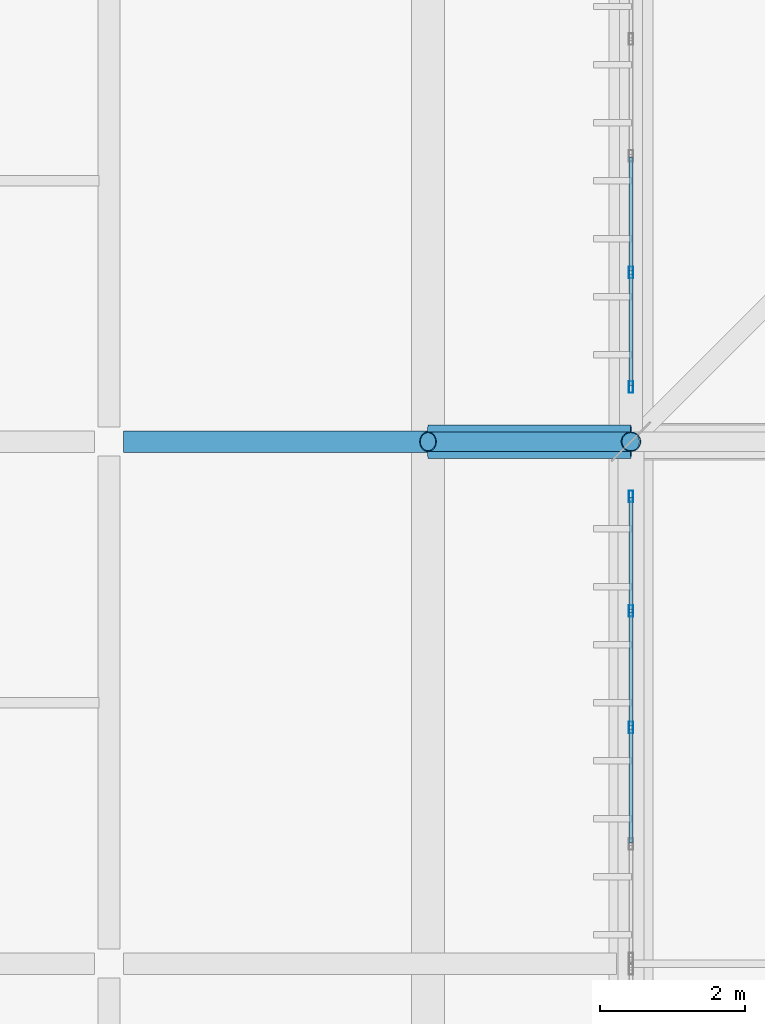
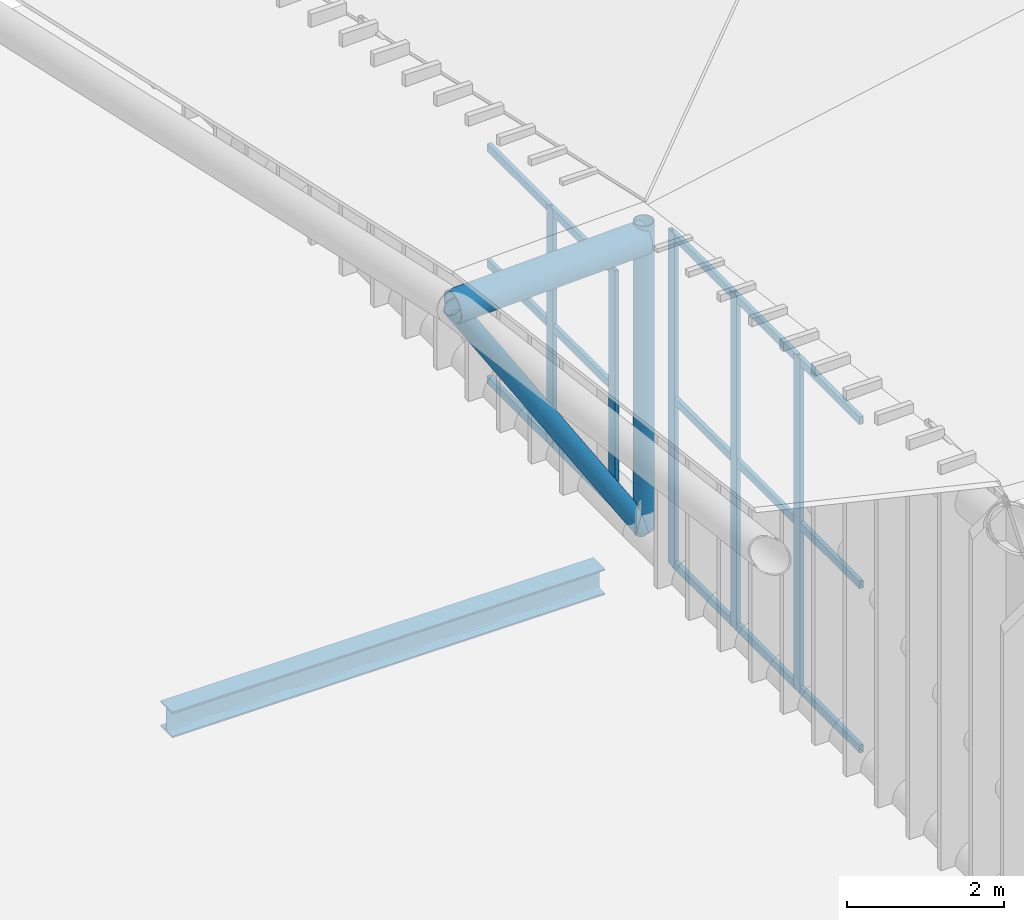
# One storey, part 209 of 397: 22 members, 2 beams, 2 elements without a shape of their own.
"""IFC4 building model written with IfcOpenShell, lengths in metres."""

from ifc_helpers import new_model, si_unit, direction, frame, origin, origin_2d, place, context, subcontext, project, spatial, hollow_rectangle, hollow_circle, i_section, extrude, material, material_profile, profile_set, type_object, element, aggregate, save


model = new_model("IFC4")

# Units and contexts
model_context = context("Model", 3, precision=1e-05, world=origin(), true_north=direction((0.0, 1.0)))
body_context = subcontext(model_context, "Body", "Model", "MODEL_VIEW")
ifc_project = project(units=[si_unit("LENGTHUNIT", "METRE"), si_unit("AREAUNIT", "SQUARE_METRE"), si_unit("VOLUMEUNIT", "CUBIC_METRE"), si_unit("PLANEANGLEUNIT", "RADIAN"), si_unit("MASSUNIT", "GRAM", prefix="KILO")], contexts=[model_context])

# Site, building, storey
site_placement = place(None, origin())
site = spatial("IfcSite", under=ifc_project, at=site_placement, CompositionType="ELEMENT")
building_placement = place(site_placement, origin())
building = spatial("IfcBuilding", under=site, at=building_placement, Name="Qandorah Velis Arena", CompositionType="ELEMENT")
storey_placement = place(building_placement, frame((0.0, 0.0, 27.5)))
storey = spatial("IfcBuildingStorey", under=building, at=storey_placement, Name="RF", CompositionType="ELEMENT", Elevation=27.5)

# Curtain wall, members
ifc_material_1 = material(Name="Solar-control low-E double glazing", Category="glass")
curtain_wall_type = type_object("IfcCurtainWallType", Name="ARC-CW-SYS07", PredefinedType="USERDEFINED", material=ifc_material_1)
curtain_wall_1_placement = place(storey_placement, origin())
curtain_wall_1 = element("IfcCurtainWall", 1, at=curtain_wall_1_placement, inside=storey, type_object=curtain_wall_type, Name="Unitised curtain wall CROWN-1-06S2", ObjectType="UNITISED CURTAIN WALL", PredefinedType="USERDEFINED")
ifc_material_2 = material(Name="Champagne-bronze anodized aluminium 6063-T6", Category="aluminium")
ifc_material_profile_1 = material_profile(ifc_material_2, hollow_rectangle(XDim=0.06005859375, YDim=0.159912109375, WallThickness=0.00341796875, at=origin_2d()), Name="ALU MULLION 60x160")
ifc_profile_set_1 = profile_set([ifc_material_profile_1], Name="Champagne-bronze anodized aluminium 6063-T6")
member_type_1 = type_object("IfcMemberType", Name="ARC-CWM-160", PredefinedType="MULLION", material=ifc_profile_set_1)
member_1_placement = place(storey_placement, frame((14.39990234375, 96.857421875, -0.014892578125), z_axis=(0.0, 0.0, 1.0), x_axis=(-1.0, 0.0, 0.0)))
member_1 = element("IfcMember", 2, at=member_1_placement, type_object=member_type_1, Name="CW07 mullion 3", PredefinedType="MULLION", context=body_context, shape_type="SweptSolid", body=[
    extrude(hollow_rectangle(XDim=0.06005859375, YDim=0.159912109375, WallThickness=0.00341796875, at=origin_2d()), origin(), (0.0, 0.0, 1.0), 5.180908203125),
])
member_2_placement = place(storey_placement, frame((14.39990234375, 98.46630859375, -0.014892578125), z_axis=(0.0, 0.0, 1.0), x_axis=(-1.0, 0.0, 0.0)))
member_2 = element("IfcMember", 3, at=member_2_placement, type_object=member_type_1, Name="CW07 mullion 4", PredefinedType="MULLION", context=body_context, shape_type="SweptSolid", body=[
    extrude(hollow_rectangle(XDim=0.06005859375, YDim=0.159912109375, WallThickness=0.00341796875, at=origin_2d()), origin(), (0.0, 0.0, 1.0), 5.180908203125),
])
member_3_placement = place(storey_placement, frame((14.39990234375, 100.044921875, -0.014892578125), z_axis=(0.0, 0.0, 1.0), x_axis=(-1.0, 0.0, 0.0)))
member_3 = element("IfcMember", 4, at=member_3_placement, type_object=member_type_1, Name="CW07 mullion 5", PredefinedType="MULLION", context=body_context, shape_type="SweptSolid", body=[
    extrude(hollow_rectangle(XDim=0.06005859375, YDim=0.159912109375, WallThickness=0.00341796875, at=origin_2d()), origin(), (0.0, 0.0, 1.0), 5.180908203125),
])

curtain_wall_2_placement = place(storey_placement, origin())
curtain_wall_2 = element("IfcCurtainWall", 5, at=curtain_wall_2_placement, inside=storey, type_object=curtain_wall_type, Name="Unitised curtain wall CROWN-1-07S1", ObjectType="UNITISED CURTAIN WALL", PredefinedType="USERDEFINED")
member_4_placement = place(storey_placement, frame((14.39990234375, 101.554931640625, -0.014892578125), z_axis=(0.0, 0.0, 1.0), x_axis=(-1.0, 0.0, 0.0)))
member_4 = element("IfcMember", 6, at=member_4_placement, type_object=member_type_1, Name="CW07 mullion 1", PredefinedType="MULLION", context=body_context, shape_type="SweptSolid", body=[
    extrude(hollow_rectangle(XDim=0.06005859375, YDim=0.159912109375, WallThickness=0.00341796875, at=origin_2d()), origin(), (0.0, 0.0, 1.0), 3.6904296875),
])
member_5_placement = place(storey_placement, frame((14.39990234375, 103.1337890625, -0.014892578125), z_axis=(0.0, 0.0, 1.0), x_axis=(-1.0, 0.0, 0.0)))
member_5 = element("IfcMember", 7, at=member_5_placement, type_object=member_type_1, Name="CW07 mullion 2", PredefinedType="MULLION", context=body_context, shape_type="SweptSolid", body=[
    extrude(hollow_rectangle(XDim=0.06005859375, YDim=0.159912109375, WallThickness=0.00341796875, at=origin_2d()), origin(), (0.0, 0.0, 1.0), 3.6904296875),
])

# Member
ifc_material_profile_2 = material_profile(ifc_material_2, hollow_rectangle(XDim=0.06005859375, YDim=0.1201171875, WallThickness=0.0029296875, at=origin_2d()), Name="ALU TRANSOM 60x120")
ifc_profile_set_2 = profile_set([ifc_material_profile_2], Name="Champagne-bronze anodized aluminium 6063-T6")
member_type_2 = type_object("IfcMemberType", Name="ARC-CWT-120", PredefinedType="USERDEFINED", material=ifc_profile_set_2)
member_6_placement = place(storey_placement, frame((14.39990234375, 95.266845703125, 0.030029296875), z_axis=(0.0, 1.0, 0.0), x_axis=(-1.0, 0.0, 0.0)))
member_6 = element("IfcMember", 8, at=member_6_placement, type_object=member_type_2, Name="CW07 transom 2.1", ObjectType="TRANSOM", PredefinedType="USERDEFINED", context=body_context, shape_type="SweptSolid", body=[
    extrude(hollow_rectangle(XDim=0.06005859375, YDim=0.1201171875, WallThickness=0.0029296875, at=origin_2d()), origin(), (0.0, 0.0, 1.0), 1.57275390625),
])

member_7_placement = place(storey_placement, frame((14.39990234375, 95.266845703125, 2.575439453125), z_axis=(0.0, 1.0, 0.0), x_axis=(-1.0, 0.0, 0.0)))
member_7 = element("IfcMember", 9, at=member_7_placement, type_object=member_type_2, Name="CW07 transom 2.2", ObjectType="TRANSOM", PredefinedType="USERDEFINED", context=body_context, shape_type="SweptSolid", body=[
    extrude(hollow_rectangle(XDim=0.06005859375, YDim=0.1201171875, WallThickness=0.0029296875, at=origin_2d()), origin(), (0.0, 0.0, 1.0), 1.57275390625),
])

member_8_placement = place(storey_placement, frame((14.39990234375, 95.266845703125, 5.12109375), z_axis=(0.0, 1.0, 0.0), x_axis=(-1.0, 0.0, 0.0)))
member_8 = element("IfcMember", 10, at=member_8_placement, type_object=member_type_2, Name="CW07 transom 2.3", ObjectType="TRANSOM", PredefinedType="USERDEFINED", context=body_context, shape_type="SweptSolid", body=[
    extrude(hollow_rectangle(XDim=0.06005859375, YDim=0.1201171875, WallThickness=0.0029296875, at=origin_2d()), origin(), (0.0, 0.0, 1.0), 1.57275390625),
])

member_9_placement = place(storey_placement, frame((14.39990234375, 96.87548828125, 0.030029296875), z_axis=(0.0, 1.0, 0.0), x_axis=(-1.0, 0.0, 0.0)))
member_9 = element("IfcMember", 11, at=member_9_placement, type_object=member_type_2, Name="CW07 transom 3.1", ObjectType="TRANSOM", PredefinedType="USERDEFINED", context=body_context, shape_type="SweptSolid", body=[
    extrude(hollow_rectangle(XDim=0.06005859375, YDim=0.1201171875, WallThickness=0.0029296875, at=origin_2d()), origin(), (0.0, 0.0, 1.0), 1.57275390625),
])

member_10_placement = place(storey_placement, frame((14.39990234375, 96.87548828125, 2.575439453125), z_axis=(0.0, 1.0, 0.0), x_axis=(-1.0, 0.0, 0.0)))
member_10 = element("IfcMember", 12, at=member_10_placement, type_object=member_type_2, Name="CW07 transom 3.2", ObjectType="TRANSOM", PredefinedType="USERDEFINED", context=body_context, shape_type="SweptSolid", body=[
    extrude(hollow_rectangle(XDim=0.06005859375, YDim=0.1201171875, WallThickness=0.0029296875, at=origin_2d()), origin(), (0.0, 0.0, 1.0), 1.57275390625),
])

member_11_placement = place(storey_placement, frame((14.39990234375, 96.87548828125, 5.12109375), z_axis=(0.0, 1.0, 0.0), x_axis=(-1.0, 0.0, 0.0)))
member_11 = element("IfcMember", 13, at=member_11_placement, type_object=member_type_2, Name="CW07 transom 3.3", ObjectType="TRANSOM", PredefinedType="USERDEFINED", context=body_context, shape_type="SweptSolid", body=[
    extrude(hollow_rectangle(XDim=0.06005859375, YDim=0.1201171875, WallThickness=0.0029296875, at=origin_2d()), origin(), (0.0, 0.0, 1.0), 1.57275390625),
])

member_12_placement = place(storey_placement, frame((14.39990234375, 98.484375, 0.030029296875), z_axis=(0.0, 1.0, 0.0), x_axis=(-1.0, 0.0, 0.0)))
member_12 = element("IfcMember", 14, at=member_12_placement, type_object=member_type_2, Name="CW07 transom 4.1", ObjectType="TRANSOM", PredefinedType="USERDEFINED", context=body_context, shape_type="SweptSolid", body=[
    extrude(hollow_rectangle(XDim=0.06005859375, YDim=0.1201171875, WallThickness=0.0029296875, at=origin_2d()), origin(), (0.0, 0.0, 1.0), 1.542724609375),
])

member_13_placement = place(storey_placement, frame((14.39990234375, 98.484375, 2.575439453125), z_axis=(0.0, 1.0, 0.0), x_axis=(-1.0, 0.0, 0.0)))
member_13 = element("IfcMember", 15, at=member_13_placement, type_object=member_type_2, Name="CW07 transom 4.2", ObjectType="TRANSOM", PredefinedType="USERDEFINED", context=body_context, shape_type="SweptSolid", body=[
    extrude(hollow_rectangle(XDim=0.06005859375, YDim=0.1201171875, WallThickness=0.0029296875, at=origin_2d()), origin(), (0.0, 0.0, 1.0), 1.542724609375),
])

member_14_placement = place(storey_placement, frame((14.39990234375, 98.484375, 5.12109375), z_axis=(0.0, 1.0, 0.0), x_axis=(-1.0, 0.0, 0.0)))
member_14 = element("IfcMember", 16, at=member_14_placement, type_object=member_type_2, Name="CW07 transom 4.3", ObjectType="TRANSOM", PredefinedType="USERDEFINED", context=body_context, shape_type="SweptSolid", body=[
    extrude(hollow_rectangle(XDim=0.06005859375, YDim=0.1201171875, WallThickness=0.0029296875, at=origin_2d()), origin(), (0.0, 0.0, 1.0), 1.542724609375),
])

aggregate(curtain_wall_1, [member_1, member_2, member_3, member_6, member_7, member_8, member_9, member_10, member_11, member_12, member_13, member_14])

member_15_placement = place(storey_placement, frame((14.39990234375, 101.572998046875, 0.030029296875), z_axis=(0.0, 1.0, 0.0), x_axis=(-1.0, 0.0, 0.0)))
member_15 = element("IfcMember", 17, at=member_15_placement, type_object=member_type_2, Name="CW07 transom 1.1", ObjectType="TRANSOM", PredefinedType="USERDEFINED", context=body_context, shape_type="SweptSolid", body=[
    extrude(hollow_rectangle(XDim=0.06005859375, YDim=0.1201171875, WallThickness=0.0029296875, at=origin_2d()), origin(), (0.0, 0.0, 1.0), 1.542724609375),
])

member_16_placement = place(storey_placement, frame((14.39990234375, 101.572998046875, 1.830078125), z_axis=(0.0, 1.0, 0.0), x_axis=(-1.0, 0.0, 0.0)))
member_16 = element("IfcMember", 18, at=member_16_placement, type_object=member_type_2, Name="CW07 transom 1.2", ObjectType="TRANSOM", PredefinedType="USERDEFINED", context=body_context, shape_type="SweptSolid", body=[
    extrude(hollow_rectangle(XDim=0.06005859375, YDim=0.1201171875, WallThickness=0.0029296875, at=origin_2d()), origin(), (0.0, 0.0, 1.0), 1.542724609375),
])

member_17_placement = place(storey_placement, frame((14.39990234375, 101.572998046875, 3.630615234375), z_axis=(0.0, 1.0, 0.0), x_axis=(-1.0, 0.0, 0.0)))
member_17 = element("IfcMember", 19, at=member_17_placement, type_object=member_type_2, Name="CW07 transom 1.3", ObjectType="TRANSOM", PredefinedType="USERDEFINED", context=body_context, shape_type="SweptSolid", body=[
    extrude(hollow_rectangle(XDim=0.06005859375, YDim=0.1201171875, WallThickness=0.0029296875, at=origin_2d()), origin(), (0.0, 0.0, 1.0), 1.542724609375),
])

member_18_placement = place(storey_placement, frame((14.39990234375, 103.15185546875, 0.030029296875), z_axis=(0.0, 1.0, 0.0), x_axis=(-1.0, 0.0, 0.0)))
member_18 = element("IfcMember", 20, at=member_18_placement, type_object=member_type_2, Name="CW07 transom 2.1", ObjectType="TRANSOM", PredefinedType="USERDEFINED", context=body_context, shape_type="SweptSolid", body=[
    extrude(hollow_rectangle(XDim=0.06005859375, YDim=0.1201171875, WallThickness=0.0029296875, at=origin_2d()), origin(), (0.0, 0.0, 1.0), 1.57275390625),
])

member_19_placement = place(storey_placement, frame((14.39990234375, 103.15185546875, 1.830078125), z_axis=(0.0, 1.0, 0.0), x_axis=(-1.0, 0.0, 0.0)))
member_19 = element("IfcMember", 21, at=member_19_placement, type_object=member_type_2, Name="CW07 transom 2.2", ObjectType="TRANSOM", PredefinedType="USERDEFINED", context=body_context, shape_type="SweptSolid", body=[
    extrude(hollow_rectangle(XDim=0.06005859375, YDim=0.1201171875, WallThickness=0.0029296875, at=origin_2d()), origin(), (0.0, 0.0, 1.0), 1.57275390625),
])

member_20_placement = place(storey_placement, frame((14.39990234375, 103.15185546875, 3.630615234375), z_axis=(0.0, 1.0, 0.0), x_axis=(-1.0, 0.0, 0.0)))
member_20 = element("IfcMember", 22, at=member_20_placement, type_object=member_type_2, Name="CW07 transom 2.3", ObjectType="TRANSOM", PredefinedType="USERDEFINED", context=body_context, shape_type="SweptSolid", body=[
    extrude(hollow_rectangle(XDim=0.06005859375, YDim=0.1201171875, WallThickness=0.0029296875, at=origin_2d()), origin(), (0.0, 0.0, 1.0), 1.57275390625),
])

aggregate(curtain_wall_2, [member_4, member_5, member_15, member_16, member_17, member_18, member_19, member_20])

# Beams
ifc_material_3 = material(Name="Steel S355", Category="steel")
ifc_material_profile_3 = material_profile(ifc_material_3, i_section(OverallWidth=0.300048828125, OverallDepth=0.39990234375, WebThickness=0.013427734375, FlangeThickness=0.02392578125, FilletRadius=0.027099609375, at=origin_2d()), Name="HEB 400")
ifc_profile_set_3 = profile_set([ifc_material_profile_3], Name="Steel S355")
beam_type_1 = type_object("IfcBeamType", Name="STR-BM-HEB400", PredefinedType="BEAM", material=ifc_profile_set_3)
beam_1_placement = place(storey_placement, frame((7.39990234375, 100.800048828125, -0.419921875), z_axis=(1.0, 0.0, 0.0), x_axis=(0.0, 1.0, 0.0)))
element("IfcBeam", 23, at=beam_1_placement, inside=storey, type_object=beam_type_1, Name="Primary floor girder RF X-042", PredefinedType="BEAM", context=body_context, shape_type="SweptSolid", body=[
    extrude(i_section(OverallWidth=0.300048828125, OverallDepth=0.39990234375, WebThickness=0.013427734375, FlangeThickness=0.02392578125, FilletRadius=0.027099609375, at=origin_2d()), origin(), (0.0, 0.0, 1.0), 6.35009765625),
])
ifc_material_profile_4 = material_profile(ifc_material_3, hollow_circle(Radius=0.228515625, WallThickness=0.01611328125, at=origin_2d()), Name="CHS 457x16")
ifc_profile_set_4 = profile_set([ifc_material_profile_4], Name="Steel S355")
beam_type_2 = type_object("IfcBeamType", Name="STR-SFC-CHS457X16", PredefinedType="USERDEFINED", material=ifc_profile_set_4)
beam_2_placement = place(storey_placement, frame((14.39990234375, 100.800048828125, 4.6083984375), z_axis=(-0.999361521522, 0.0, -0.035728830121), x_axis=(0.0, -1.0, 0.0)))
element("IfcBeam", 24, at=beam_2_placement, inside=storey, type_object=beam_type_2, Name="Space frame eave outrigger W-6", ObjectType="ROOF TRUSS", PredefinedType="USERDEFINED", context=body_context, shape_type="SweptSolid", body=[
    extrude(hollow_circle(Radius=0.228515625, WallThickness=0.01611328125, at=origin_2d()), origin(), (0.0, 0.0, 1.0), 2.801513671875),
])

# Members
ifc_material_profile_5 = material_profile(ifc_material_3, hollow_circle(Radius=0.136474609375, WallThickness=0.012451171875, at=origin_2d()), Name="CHS 273x12.5")
ifc_profile_set_5 = profile_set([ifc_material_profile_5], Name="Steel S355")
member_type_3 = type_object("IfcMemberType", Name="STR-SFD-CHS273X12", PredefinedType="STRUT", material=ifc_profile_set_5)
member_21_placement = place(storey_placement, frame((14.39990234375, 100.800048828125, 0.10009765625), z_axis=(0.0, 0.0, 1.0), x_axis=(1.0, 0.0, 0.0)))
element("IfcMember", 25, at=member_21_placement, inside=storey, type_object=member_type_3, Name="Space frame roof vertical post 0.6", PredefinedType="STRUT", context=body_context, shape_type="SweptSolid", body=[
    extrude(hollow_circle(Radius=0.136474609375, WallThickness=0.012451171875, at=origin_2d()), origin(), (0.0, 0.0, 1.0), 4.768310546875),
])
member_22_placement = place(storey_placement, frame((14.39990234375, 100.800048828125, 0.10009765625), z_axis=(-0.536137175467, 0.0, 0.844130872011), x_axis=(0.0, -1.0, 0.0)))
element("IfcMember", 26, at=member_22_placement, inside=storey, type_object=member_type_3, Name="Space frame eave raking strut W-6", PredefinedType="STRUT", context=body_context, shape_type="SweptSolid", body=[
    extrude(hollow_circle(Radius=0.136474609375, WallThickness=0.012451171875, at=origin_2d()), origin(), (0.0, 0.0, 1.0), 5.22216796875),
])

save(model, "model.ifc")
